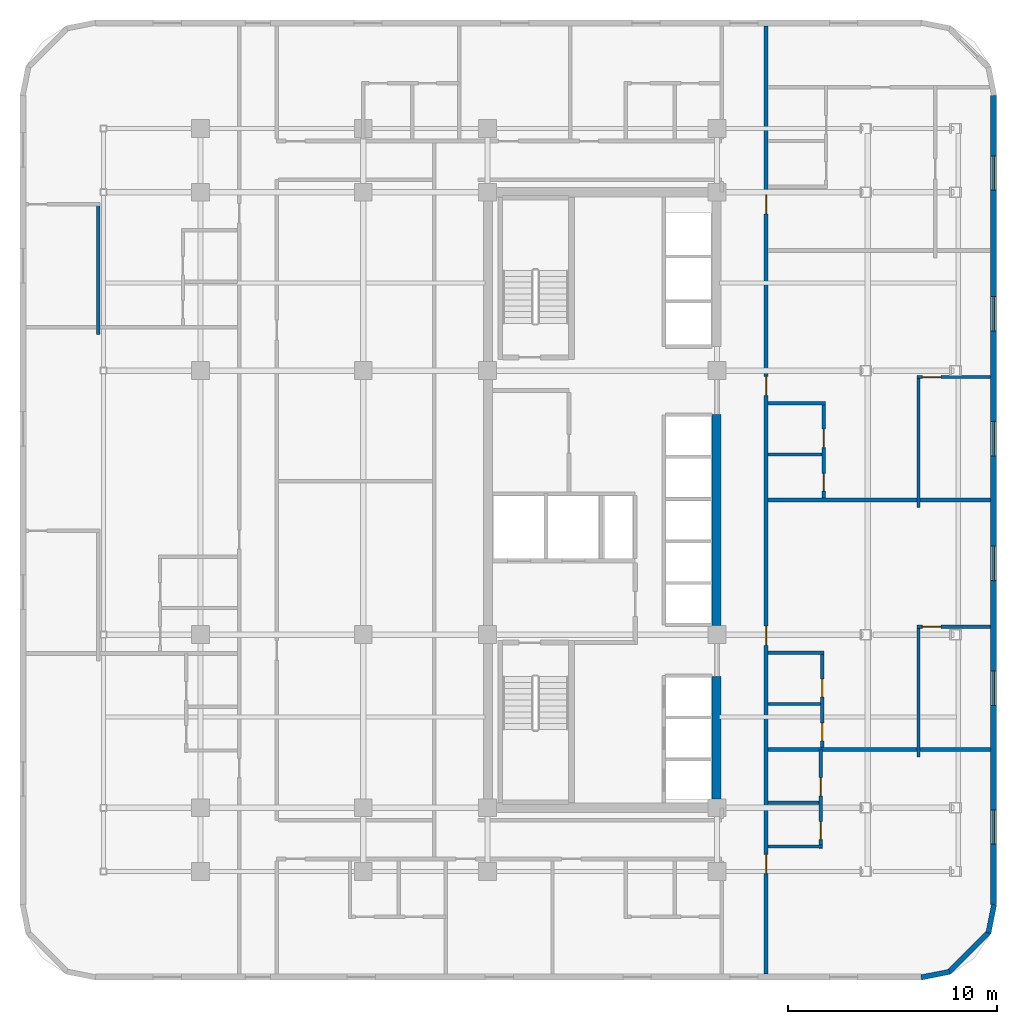
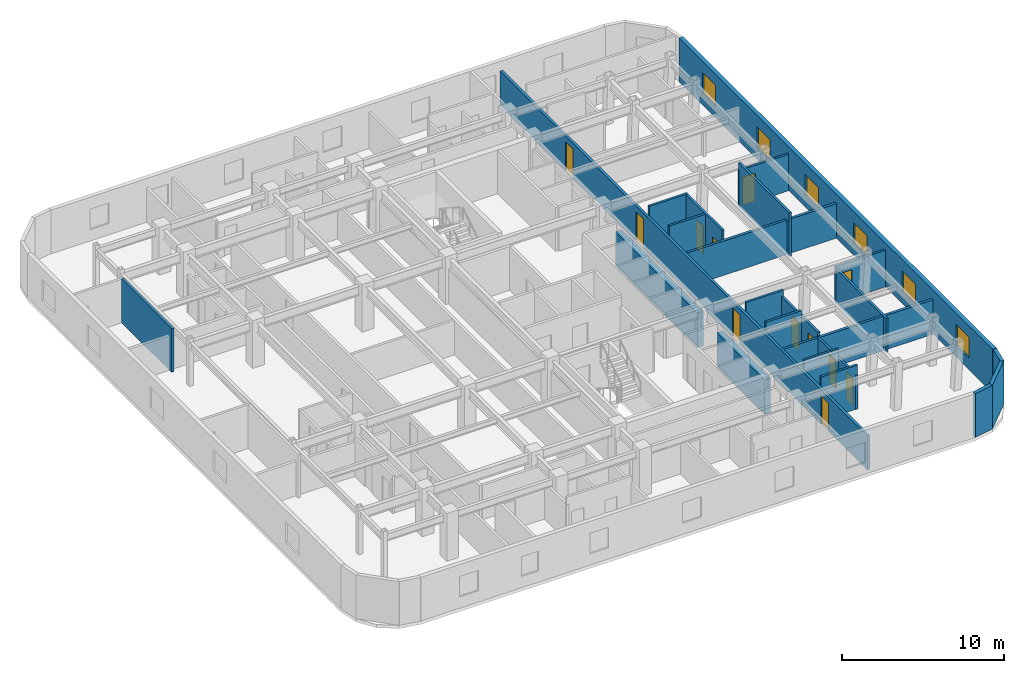
# One storey, part 8 of 11: 23 walls, 12 doors, 6 windows, 18 openings.
"""IFC4 building model written with IfcOpenShell, lengths in metres."""

from ifc_helpers import new_model, si_unit, direction, frame, frame_2d, origin, place, context, subcontext, project, spatial, rectangle, extrude, material, layer, layer_set, type_object, element, fill, save


model = new_model("IFC4")

# Units and contexts
model_context = context("Model", 3, precision=1e-05, world=origin(), true_north=direction((0.0, 1.0)))
body_context = subcontext(model_context, "Body", "Model", "MODEL_VIEW")
ifc_project = project(units=[si_unit("LENGTHUNIT", "METRE"), si_unit("AREAUNIT", "SQUARE_METRE"), si_unit("VOLUMEUNIT", "CUBIC_METRE"), si_unit("PLANEANGLEUNIT", "RADIAN"), si_unit("MASSUNIT", "GRAM", prefix="KILO")], contexts=[model_context])

# Site, building, storey
site_placement = place(None, origin())
site = spatial("IfcSite", under=ifc_project, at=site_placement, CompositionType="ELEMENT")
building_placement = place(site_placement, origin())
building = spatial("IfcBuilding", under=site, at=building_placement, Name="Ochreholt Gables", CompositionType="ELEMENT")
storey_placement = place(building_placement, frame((0.0, 0.0, 67.800048828125)))
storey = spatial("IfcBuildingStorey", under=building, at=storey_placement, Name="L17", CompositionType="ELEMENT", Elevation=67.800048828125)

# Walls
ifc_material_1 = material(Name="Concrete 60 MPa", Category="concrete")
ifc_layer_1 = layer(ifc_material_1, 0.449951171875, Name="Concrete 60 MPa")
ifc_layer_set_1 = layer_set([ifc_layer_1], Name="Concrete 60 MPa")
wall_type_1 = type_object("IfcWallType", Name="WALL-CSW-450", PredefinedType="SHEAR", material=ifc_layer_set_1)
wall_1_placement = place(storey_placement, frame((35.175048828125, 9.675048828125, 0.0), z_axis=(0.0, 0.0, 1.0), x_axis=(0.0, 1.0, 0.0)))
element("IfcWall", 1, at=wall_1_placement, inside=storey, type_object=wall_type_1, Name="L17 Core South-East Shear Wall", PredefinedType="SHEAR", context=body_context, shape_type="SweptSolid", body=[
    extrude(rectangle(XDim=5.875, YDim=0.449951171875, at=frame_2d((2.9375, 0.0))), origin(), (0.0, 0.0, 1.0), 2.60693359375),
])
wall_2_placement = place(storey_placement, frame((35.175048828125, 17.97509765625, 0.0), z_axis=(0.0, 0.0, 1.0), x_axis=(0.0, 1.0, 0.0)))
element("IfcWall", 2, at=wall_2_placement, inside=storey, type_object=wall_type_1, Name="L17 Core Central-East Shear Wall", PredefinedType="SHEAR", context=body_context, shape_type="SweptSolid", body=[
    extrude(rectangle(XDim=10.125, YDim=0.449951171875, at=frame_2d((5.0625, 0.0))), origin(), (0.0, 0.0, 1.0), 2.60693359375),
])

# Wall, openings, windows
ifc_material_2 = material(Name="Precast concrete 40 MPa", Category="concrete")
ifc_layer_2 = layer(ifc_material_2, 0.2900390625, Name="Precast concrete 40 MPa")
ifc_layer_set_2 = layer_set([ifc_layer_2], Name="Precast concrete 40 MPa")
wall_type_2 = type_object("IfcWallType", Name="WALL-EXT-290", PredefinedType="SOLIDWALL", material=ifc_layer_set_2)
wall_3_placement = place(storey_placement, frame((48.455078125, 4.6201171875, 0.0), z_axis=(0.0, 0.0, 1.0), x_axis=(0.0, 1.0, 0.0)))
wall_3 = element("IfcWall", 3, at=wall_3_placement, inside=storey, type_object=wall_type_2, Name="L17 East Exterior Wall", PredefinedType="SOLIDWALL", context=body_context, shape_type="SweptSolid", body=[
    extrude(rectangle(XDim=38.759765625, YDim=0.2900390625, at=frame_2d((19.3798828125, 0.0))), origin(), (0.0, 0.0, 1.0), 3.300048828125),
])
opening_1_placement = place(wall_3_placement, frame((2.885009765625, 0.0, 0.85009765625)))
opening_1 = element("IfcOpeningElement", 4, at=opening_1_placement, cuts=wall_3, Name="Opening WN-7", PredefinedType="OPENING", context=body_context, shape_type="SweptSolid", body=[
    extrude(rectangle(XDim=1.64990234375, YDim=1.60009765625, at=frame_2d((0.824951171875, 0.800048828125))), frame((0.0, 0.155029296875, 0.0), z_axis=(0.0, -1.0, 0.0), x_axis=(1.0, 0.0, 0.0)), (0.0, 0.0, 1.0), 0.31005859375),
])
opening_2_placement = place(wall_3_placement, frame((9.5400390625, 0.0, 0.85009765625)))
opening_2 = element("IfcOpeningElement", 5, at=opening_2_placement, cuts=wall_3, Name="Opening WN-7", PredefinedType="OPENING", context=body_context, shape_type="SweptSolid", body=[
    extrude(rectangle(XDim=1.64990234375, YDim=1.60009765625, at=frame_2d((0.824951171875, 0.800048828125))), frame((0.0, 0.155029296875, 0.0), z_axis=(0.0, -1.0, 0.0), x_axis=(1.0, 0.0, 0.0)), (0.0, 0.0, 1.0), 0.31005859375),
])
opening_3_placement = place(wall_3_placement, frame((15.52001953125, 0.0, 0.85009765625)))
opening_3 = element("IfcOpeningElement", 6, at=opening_3_placement, cuts=wall_3, Name="Opening WN-7", PredefinedType="OPENING", context=body_context, shape_type="SweptSolid", body=[
    extrude(rectangle(XDim=1.64990234375, YDim=1.60009765625, at=frame_2d((0.824951171875, 0.800048828125))), frame((0.0, 0.155029296875, 0.0), z_axis=(0.0, -1.0, 0.0), x_axis=(1.0, 0.0, 0.0)), (0.0, 0.0, 1.0), 0.31005859375),
])
opening_4_placement = place(wall_3_placement, frame((21.5, 0.0, 0.85009765625)))
opening_4 = element("IfcOpeningElement", 7, at=opening_4_placement, cuts=wall_3, Name="Opening WN-7", PredefinedType="OPENING", context=body_context, shape_type="SweptSolid", body=[
    extrude(rectangle(XDim=1.64990234375, YDim=1.60009765625, at=frame_2d((0.824951171875, 0.800048828125))), frame((0.0, 0.155029296875, 0.0), z_axis=(0.0, -1.0, 0.0), x_axis=(1.0, 0.0, 0.0)), (0.0, 0.0, 1.0), 0.31005859375),
])
opening_5_placement = place(wall_3_placement, frame((27.47998046875, 0.0, 0.85009765625)))
opening_5 = element("IfcOpeningElement", 8, at=opening_5_placement, cuts=wall_3, Name="Opening WN-7", PredefinedType="OPENING", context=body_context, shape_type="SweptSolid", body=[
    extrude(rectangle(XDim=1.64990234375, YDim=1.60009765625, at=frame_2d((0.824951171875, 0.800048828125))), frame((0.0, 0.155029296875, 0.0), z_axis=(0.0, -1.0, 0.0), x_axis=(1.0, 0.0, 0.0)), (0.0, 0.0, 1.0), 0.31005859375),
])
opening_6_placement = place(wall_3_placement, frame((34.22509765625, 0.0, 0.85009765625)))
opening_6 = element("IfcOpeningElement", 9, at=opening_6_placement, cuts=wall_3, Name="Opening WN-7", PredefinedType="OPENING", context=body_context, shape_type="SweptSolid", body=[
    extrude(rectangle(XDim=1.64990234375, YDim=1.60009765625, at=frame_2d((0.824951171875, 0.800048828125))), frame((0.0, 0.155029296875, 0.0), z_axis=(0.0, -1.0, 0.0), x_axis=(1.0, 0.0, 0.0)), (0.0, 0.0, 1.0), 0.31005859375),
])
ifc_material_3 = material(Name="Triple-Glazed Thermally Broken Aluminium Window", Category="aluminium")
window_type = type_object("IfcWindowType", Name="WIN-RES-1650", PartitioningType="SINGLE_PANEL", PredefinedType="WINDOW", material=ifc_material_3)
window_1_placement = place(opening_1_placement, origin())
window_1 = element("IfcWindow", 10, at=window_1_placement, inside=storey, type_object=window_type, Name="L17 Window W-EXT-E-L17-1", OverallHeight=1.60009765625, OverallWidth=1.64990234375, PartitioningType="SINGLE_PANEL", PredefinedType="WINDOW", context=body_context, shape_type="SweptSolid", body=[
    extrude(rectangle(XDim=1.64990234375, YDim=1.60009765625, at=frame_2d((0.824951171875, 0.800048828125))), frame((0.0, 0.030029296875, 0.0), z_axis=(0.0, -1.0, 0.0), x_axis=(1.0, 0.0, 0.0)), (0.0, 0.0, 1.0), 0.06005859375),
])
fill(opening_1, window_1)
window_2_placement = place(opening_2_placement, origin())
window_2 = element("IfcWindow", 11, at=window_2_placement, inside=storey, type_object=window_type, Name="L17 Window W-EXT-E-L17-2", OverallHeight=1.60009765625, OverallWidth=1.64990234375, PartitioningType="SINGLE_PANEL", PredefinedType="WINDOW", context=body_context, shape_type="SweptSolid", body=[
    extrude(rectangle(XDim=1.64990234375, YDim=1.60009765625, at=frame_2d((0.824951171875, 0.800048828125))), frame((0.0, 0.030029296875, 0.0), z_axis=(0.0, -1.0, 0.0), x_axis=(1.0, 0.0, 0.0)), (0.0, 0.0, 1.0), 0.06005859375),
])
fill(opening_2, window_2)
window_3_placement = place(opening_3_placement, origin())
window_3 = element("IfcWindow", 12, at=window_3_placement, inside=storey, type_object=window_type, Name="L17 Window W-EXT-E-L17-3", OverallHeight=1.60009765625, OverallWidth=1.64990234375, PartitioningType="SINGLE_PANEL", PredefinedType="WINDOW", context=body_context, shape_type="SweptSolid", body=[
    extrude(rectangle(XDim=1.64990234375, YDim=1.60009765625, at=frame_2d((0.824951171875, 0.800048828125))), frame((0.0, 0.030029296875, 0.0), z_axis=(0.0, -1.0, 0.0), x_axis=(1.0, 0.0, 0.0)), (0.0, 0.0, 1.0), 0.06005859375),
])
fill(opening_3, window_3)
window_4_placement = place(opening_4_placement, origin())
window_4 = element("IfcWindow", 13, at=window_4_placement, inside=storey, type_object=window_type, Name="L17 Window W-EXT-E-L17-4", OverallHeight=1.60009765625, OverallWidth=1.64990234375, PartitioningType="SINGLE_PANEL", PredefinedType="WINDOW", context=body_context, shape_type="SweptSolid", body=[
    extrude(rectangle(XDim=1.64990234375, YDim=1.60009765625, at=frame_2d((0.824951171875, 0.800048828125))), frame((0.0, 0.030029296875, 0.0), z_axis=(0.0, -1.0, 0.0), x_axis=(1.0, 0.0, 0.0)), (0.0, 0.0, 1.0), 0.06005859375),
])
fill(opening_4, window_4)
window_5_placement = place(opening_5_placement, origin())
window_5 = element("IfcWindow", 14, at=window_5_placement, inside=storey, type_object=window_type, Name="L17 Window W-EXT-E-L17-5", OverallHeight=1.60009765625, OverallWidth=1.64990234375, PartitioningType="SINGLE_PANEL", PredefinedType="WINDOW", context=body_context, shape_type="SweptSolid", body=[
    extrude(rectangle(XDim=1.64990234375, YDim=1.60009765625, at=frame_2d((0.824951171875, 0.800048828125))), frame((0.0, 0.030029296875, 0.0), z_axis=(0.0, -1.0, 0.0), x_axis=(1.0, 0.0, 0.0)), (0.0, 0.0, 1.0), 0.06005859375),
])
fill(opening_5, window_5)
window_6_placement = place(opening_6_placement, origin())
window_6 = element("IfcWindow", 15, at=window_6_placement, inside=storey, type_object=window_type, Name="L17 Window W-EXT-E-L17-6", OverallHeight=1.60009765625, OverallWidth=1.64990234375, PartitioningType="SINGLE_PANEL", PredefinedType="WINDOW", context=body_context, shape_type="SweptSolid", body=[
    extrude(rectangle(XDim=1.64990234375, YDim=1.60009765625, at=frame_2d((0.824951171875, 0.800048828125))), frame((0.0, 0.030029296875, 0.0), z_axis=(0.0, -1.0, 0.0), x_axis=(1.0, 0.0, 0.0)), (0.0, 0.0, 1.0), 0.06005859375),
])
fill(opening_6, window_6)

# Walls
ifc_layer_3 = layer(ifc_material_2, 0.25, Name="Precast concrete 40 MPa")
ifc_layer_set_3 = layer_set([ifc_layer_3], Name="Precast concrete 40 MPa")
wall_type_3 = type_object("IfcWallType", Name="WALL-EXT-CNR", PredefinedType="SOLIDWALL", material=ifc_layer_set_3)
wall_4_placement = place(storey_placement, frame((44.9833984375, 1.124267578125, 0.0), z_axis=(0.0, 0.0, 1.0), x_axis=(0.980809899341, 0.19496651342, 0.0)))
element("IfcWall", 16, at=wall_4_placement, inside=storey, type_object=wall_type_3, Name="L17 Rounded Corner Wall SE-1", PredefinedType="SOLIDWALL", context=body_context, shape_type="SweptSolid", body=[
    extrude(rectangle(XDim=1.388671875, YDim=0.25, at=frame_2d((0.6943359375, 0.0))), origin(), (0.0, 0.0, 1.0), 3.300048828125),
])
wall_5_placement = place(storey_placement, frame((46.294921875, 1.367919921875, 0.0), z_axis=(0.0, 0.0, 1.0), x_axis=(0.707106781187, 0.707106781187, 0.0)))
element("IfcWall", 17, at=wall_5_placement, inside=storey, type_object=wall_type_3, Name="L17 Rounded Corner Wall SE-2", PredefinedType="SOLIDWALL", context=body_context, shape_type="SweptSolid", body=[
    extrude(rectangle(XDim=2.7392578125, YDim=0.25, at=frame_2d((1.36962890625, 0.0))), origin(), (0.0, 0.0, 1.0), 3.300048828125),
])
wall_6_placement = place(storey_placement, frame((48.205078125, 3.25439453125, 0.0), z_axis=(0.0, 0.0, 1.0), x_axis=(0.19496651342, 0.980809899341, 0.0)))
element("IfcWall", 18, at=wall_6_placement, inside=storey, type_object=wall_type_3, Name="L17 Rounded Corner Wall SE-3", PredefinedType="SOLIDWALL", context=body_context, shape_type="SweptSolid", body=[
    extrude(rectangle(XDim=1.388671875, YDim=0.25, at=frame_2d((0.6943359375, 0.0))), origin(), (0.0, 0.0, 1.0), 3.300048828125),
])

# Wall, openings, doors
ifc_material_4 = material(Name="Fire-Rated Gypsum Acoustic Partition", Category="gypsum")
ifc_layer_4 = layer(ifc_material_4, 0.179931640625, Name="Fire-Rated Gypsum Acoustic Partition")
ifc_layer_set_4 = layer_set([ifc_layer_4], Name="Fire-Rated Gypsum Acoustic Partition")
wall_type_4 = type_object("IfcWallType", Name="WALL-INT-CR180", PredefinedType="STANDARD", material=ifc_layer_set_4)
wall_7_placement = place(storey_placement, frame((37.550048828125, 1.2900390625, 0.0), z_axis=(0.0, 0.0, 1.0), x_axis=(0.0, 1.0, 0.0)))
wall_7 = element("IfcWall", 19, at=wall_7_placement, inside=storey, type_object=wall_type_4, Name="L17 Interior Wall WI-C1E-L17", PredefinedType="STANDARD", context=body_context, shape_type="SweptSolid", body=[
    extrude(rectangle(XDim=45.419921875, YDim=0.179931640625, at=frame_2d((22.7099609375, 0.0))), origin(), (0.0, 0.0, 1.0), 2.5888671875),
])
opening_7_placement = place(wall_7_placement, frame((4.81005859375, 0.0, 0.0)))
opening_7 = element("IfcOpeningElement", 20, at=opening_7_placement, cuts=wall_7, Name="Opening D-UN1", PredefinedType="OPENING", context=body_context, shape_type="SweptSolid", body=[
    extrude(rectangle(XDim=0.919921875, YDim=2.14990234375, at=frame_2d((0.4599609375, 1.074951171875))), frame((0.0, 0.099853515625, 0.0), z_axis=(0.0, -1.0, 0.0), x_axis=(1.0, 0.0, 0.0)), (0.0, 0.0, 1.0), 0.199951171875),
])
opening_8_placement = place(wall_7_placement, frame((15.75, 0.0, 0.0)))
opening_8 = element("IfcOpeningElement", 21, at=opening_8_placement, cuts=wall_7, Name="Opening D-UN1", PredefinedType="OPENING", context=body_context, shape_type="SweptSolid", body=[
    extrude(rectangle(XDim=0.919921875, YDim=2.14990234375, at=frame_2d((0.4599609375, 1.074951171875))), frame((0.0, 0.099853515625, 0.0), z_axis=(0.0, -1.0, 0.0), x_axis=(1.0, 0.0, 0.0)), (0.0, 0.0, 1.0), 0.199951171875),
])
opening_9_placement = place(wall_7_placement, frame((27.7099609375, 0.0, 0.0)))
opening_9 = element("IfcOpeningElement", 22, at=opening_9_placement, cuts=wall_7, Name="Opening D-UN1", PredefinedType="OPENING", context=body_context, shape_type="SweptSolid", body=[
    extrude(rectangle(XDim=0.919921875, YDim=2.14990234375, at=frame_2d((0.4599609375, 1.074951171875))), frame((0.0, 0.099853515625, 0.0), z_axis=(0.0, -1.0, 0.0), x_axis=(1.0, 0.0, 0.0)), (0.0, 0.0, 1.0), 0.199951171875),
])
opening_10_placement = place(wall_7_placement, frame((36.421630859375, 0.0, 0.0)))
opening_10 = element("IfcOpeningElement", 23, at=opening_10_placement, cuts=wall_7, Name="Opening D-UN1", PredefinedType="OPENING", context=body_context, shape_type="SweptSolid", body=[
    extrude(rectangle(XDim=0.919921875, YDim=2.14990234375, at=frame_2d((0.4599609375, 1.074951171875))), frame((0.0, 0.099853515625, 0.0), z_axis=(0.0, -1.0, 0.0), x_axis=(1.0, 0.0, 0.0)), (0.0, 0.0, 1.0), 0.199951171875),
])
ifc_material_5 = material(Name="Engineered Oak Timber", Category="wood")
door_type_1 = type_object("IfcDoorType", Name="DR-INT-UNT920", OperationType="NOTDEFINED", PredefinedType="DOOR", material=ifc_material_5)
door_1_placement = place(opening_7_placement, origin())
door_1 = element("IfcDoor", 24, at=door_1_placement, inside=storey, type_object=door_type_1, Name="L17 Door D-U-L17E1-ENT", OperationType="SINGLE_SWING_RIGHT", OverallHeight=2.14990234375, OverallWidth=0.919921875, PredefinedType="DOOR", context=body_context, shape_type="SweptSolid", body=[
    extrude(rectangle(XDim=0.919921875, YDim=2.14990234375, at=frame_2d((0.4599609375, 1.074951171875))), frame((0.0, 0.02490234375, 0.0), z_axis=(0.0, -1.0, 0.0), x_axis=(1.0, 0.0, 0.0)), (0.0, 0.0, 1.0), 0.050048828125),
])
fill(opening_7, door_1)
door_2_placement = place(opening_8_placement, origin())
door_2 = element("IfcDoor", 25, at=door_2_placement, inside=storey, type_object=door_type_1, Name="L17 Door D-U-L17E2-ENT", OperationType="SINGLE_SWING_LEFT", OverallHeight=2.14990234375, OverallWidth=0.919921875, PredefinedType="DOOR", context=body_context, shape_type="SweptSolid", body=[
    extrude(rectangle(XDim=0.919921875, YDim=2.14990234375, at=frame_2d((0.4599609375, 1.074951171875))), frame((0.0, 0.02490234375, 0.0), z_axis=(0.0, -1.0, 0.0), x_axis=(1.0, 0.0, 0.0)), (0.0, 0.0, 1.0), 0.050048828125),
])
fill(opening_8, door_2)
door_3_placement = place(opening_9_placement, origin())
door_3 = element("IfcDoor", 26, at=door_3_placement, inside=storey, type_object=door_type_1, Name="L17 Door D-U-L17E3-ENT", OperationType="SINGLE_SWING_RIGHT", OverallHeight=2.14990234375, OverallWidth=0.919921875, PredefinedType="DOOR", context=body_context, shape_type="SweptSolid", body=[
    extrude(rectangle(XDim=0.919921875, YDim=2.14990234375, at=frame_2d((0.4599609375, 1.074951171875))), frame((0.0, 0.02490234375, 0.0), z_axis=(0.0, -1.0, 0.0), x_axis=(1.0, 0.0, 0.0)), (0.0, 0.0, 1.0), 0.050048828125),
])
fill(opening_9, door_3)
door_4_placement = place(opening_10_placement, origin())
door_4 = element("IfcDoor", 27, at=door_4_placement, inside=storey, type_object=door_type_1, Name="L17 Door D-U-L17E4-ENT", OperationType="SINGLE_SWING_LEFT", OverallHeight=2.14990234375, OverallWidth=0.919921875, PredefinedType="DOOR", context=body_context, shape_type="SweptSolid", body=[
    extrude(rectangle(XDim=0.919921875, YDim=2.14990234375, at=frame_2d((0.4599609375, 1.074951171875))), frame((0.0, 0.02490234375, 0.0), z_axis=(0.0, -1.0, 0.0), x_axis=(1.0, 0.0, 0.0)), (0.0, 0.0, 1.0), 0.050048828125),
])
fill(opening_10, door_4)

# Walls
ifc_material_6 = material(Name="Double-Stud Acoustic Demising Wall", Category="gypsum")
ifc_layer_5 = layer(ifc_material_6, 0.179931640625, Name="Double-Stud Acoustic Demising Wall")
ifc_layer_set_5 = layer_set([ifc_layer_5], Name="Double-Stud Acoustic Demising Wall")
wall_type_5 = type_object("IfcWallType", Name="WALL-INT-DM180", PredefinedType="PARTITIONING", material=ifc_layer_set_5)
for number, where, z_axis, x_axis, name in (
    (28, (37.639892578125, 12.0400390625, 0.0), (0.0, 0.0, 1.0), (1.0, 0.0, 0.0), "L17 Interior Wall WI-UDE2-L17"),
    (29, (37.639892578125, 24.0, 0.0), (0.0, 0.0, 1.0), (1.0, 0.0, 0.0), "L17 Interior Wall WI-UDE3-L17"),
):
    element("IfcWall", number, at=place(storey_placement, frame(where, z_axis=z_axis, x_axis=x_axis)), inside=storey, type_object=wall_type_5, Name=name, PredefinedType="PARTITIONING", context=body_context, shape_type="SweptSolid", body=[
        extrude(rectangle(XDim=10.670166015625, YDim=0.179931640625, at=frame_2d((5.3349609375, 0.0))), origin(), (0.0, 0.0, 1.0), 2.5888671875),
    ])
ifc_material_7 = material(Name="Moisture-Resistant Plumbing Chase Wall", Category="gypsum")
ifc_layer_6 = layer(ifc_material_7, 0.159912109375, Name="Moisture-Resistant Plumbing Chase Wall")
ifc_layer_set_6 = layer_set([ifc_layer_6], Name="Moisture-Resistant Plumbing Chase Wall")
wall_type_6 = type_object("IfcWallType", Name="WALL-INT-PL160", PredefinedType="PLUMBINGWALL", material=ifc_layer_set_6)
wall_8_placement = place(storey_placement, frame((37.639892578125, 7.39990234375, 0.0), z_axis=(0.0, 0.0, 1.0), x_axis=(1.0, 0.0, 0.0)))
element("IfcWall", 30, at=wall_8_placement, inside=storey, type_object=wall_type_6, Name="L17 Interior Wall WU-L17E1-WYS", PredefinedType="PLUMBINGWALL", context=body_context, shape_type="SweptSolid", body=[
    extrude(rectangle(XDim=2.606201171875, YDim=0.159912109375, at=frame_2d((1.30322265625, 0.0))), origin(), (0.0, 0.0, 1.0), 3.300048828125),
])

# Wall, openings, doors
wall_9_placement = place(storey_placement, frame((40.166015625, 7.31005859375, 0.0), z_axis=(0.0, 0.0, 1.0), x_axis=(0.0, 1.0, 0.0)))
wall_9 = element("IfcWall", 31, at=wall_9_placement, inside=storey, type_object=wall_type_6, Name="L17 Interior Wall WU-L17E1-WX", PredefinedType="PLUMBINGWALL", context=body_context, shape_type="SweptSolid", body=[
    extrude(rectangle(XDim=4.72998046875, YDim=0.159912109375, at=frame_2d((2.364990234375, 0.0))), origin(), (0.0, 0.0, 1.0), 2.5888671875),
])
opening_11_placement = place(wall_9_placement, frame((0.419921875, 0.0, 0.0)))
opening_11 = element("IfcOpeningElement", 32, at=opening_11_placement, cuts=wall_9, Name="Opening D-BT1", PredefinedType="OPENING", context=body_context, shape_type="SweptSolid", body=[
    extrude(rectangle(XDim=0.860107421875, YDim=2.1201171875, at=frame_2d((0.43017578125, 1.06005859375))), frame((0.0, 0.08984375, 0.0), z_axis=(0.0, -1.0, 0.0), x_axis=(1.0, 0.0, 0.0)), (0.0, 0.0, 1.0), 0.179931640625),
])
opening_12_placement = place(wall_9_placement, frame((2.512939453125, 0.0, 0.0)))
opening_12 = element("IfcOpeningElement", 33, at=opening_12_placement, cuts=wall_9, Name="Opening D-GN2", PredefinedType="OPENING", context=body_context, shape_type="SweptSolid", body=[
    extrude(rectangle(XDim=0.8798828125, YDim=2.1201171875, at=frame_2d((0.43994140625, 1.06005859375))), frame((0.0, 0.08984375, 0.0), z_axis=(0.0, -1.0, 0.0), x_axis=(1.0, 0.0, 0.0)), (0.0, 0.0, 1.0), 0.179931640625),
])
door_type_2 = type_object("IfcDoorType", Name="DR-INT-BTH860", OperationType="NOTDEFINED", PredefinedType="DOOR", material=ifc_material_5)
door_5_placement = place(opening_11_placement, origin())
door_5 = element("IfcDoor", 34, at=door_5_placement, inside=storey, type_object=door_type_2, Name="L17 Door D-U-L17E1-BTH", OperationType="SINGLE_SWING_LEFT", OverallHeight=2.1201171875, OverallWidth=0.860107421875, PredefinedType="DOOR", context=body_context, shape_type="SweptSolid", body=[
    extrude(rectangle(XDim=0.860107421875, YDim=2.1201171875, at=frame_2d((0.43017578125, 1.06005859375))), frame((0.0, 0.02490234375, 0.0), z_axis=(0.0, -1.0, 0.0), x_axis=(1.0, 0.0, 0.0)), (0.0, 0.0, 1.0), 0.050048828125),
])
fill(opening_11, door_5)
door_type_3 = type_object("IfcDoorType", Name="DR-INT-GEN880", OperationType="NOTDEFINED", PredefinedType="DOOR", material=ifc_material_5)
door_6_placement = place(opening_12_placement, origin())
door_6 = element("IfcDoor", 35, at=door_6_placement, inside=storey, type_object=door_type_3, Name="L17 Door D-U-L17E1-KIT", OperationType="SINGLE_SWING_RIGHT", OverallHeight=2.1201171875, OverallWidth=0.8798828125, PredefinedType="DOOR", context=body_context, shape_type="SweptSolid", body=[
    extrude(rectangle(XDim=0.8798828125, YDim=2.1201171875, at=frame_2d((0.43994140625, 1.06005859375))), frame((0.0, 0.02490234375, 0.0), z_axis=(0.0, -1.0, 0.0), x_axis=(1.0, 0.0, 0.0)), (0.0, 0.0, 1.0), 0.050048828125),
])
fill(opening_12, door_6)

# Walls
wall_10_placement = place(storey_placement, frame((37.639892578125, 9.492919921875, 0.0), z_axis=(0.0, 0.0, 1.0), x_axis=(1.0, 0.0, 0.0)))
element("IfcWall", 36, at=wall_10_placement, inside=storey, type_object=wall_type_6, Name="L17 Interior Wall WU-L17E1-WM", PredefinedType="PLUMBINGWALL", context=body_context, shape_type="SweptSolid", body=[
    extrude(rectangle(XDim=2.446044921875, YDim=0.159912109375, at=frame_2d((1.22314453125, 0.0))), origin(), (0.0, 0.0, 1.0), 3.300048828125),
])
wall_11_placement = place(storey_placement, frame((37.639892578125, 16.679931640625, 0.0), z_axis=(0.0, 0.0, 1.0), x_axis=(1.0, 0.0, 0.0)))
element("IfcWall", 37, at=wall_11_placement, inside=storey, type_object=wall_type_6, Name="L17 Interior Wall WU-L17E2-WYN", PredefinedType="PLUMBINGWALL", context=body_context, shape_type="SweptSolid", body=[
    extrude(rectangle(XDim=2.68212890625, YDim=0.159912109375, at=frame_2d((1.341064453125, 0.0))), origin(), (0.0, 0.0, 1.0), 3.300048828125),
])

# Wall, openings, doors
wall_12_placement = place(storey_placement, frame((40.241943359375, 12.1298828125, 0.0), z_axis=(0.0, 0.0, 1.0), x_axis=(0.0, 1.0, 0.0)))
wall_12 = element("IfcWall", 38, at=wall_12_placement, inside=storey, type_object=wall_type_6, Name="L17 Interior Wall WU-L17E2-WX", PredefinedType="PLUMBINGWALL", context=body_context, shape_type="SweptSolid", body=[
    extrude(rectangle(XDim=4.64013671875, YDim=0.159912109375, at=frame_2d((2.320068359375, 0.0))), origin(), (0.0, 0.0, 1.0), 2.8720703125),
])
opening_13_placement = place(wall_12_placement, frame((0.330078125, 0.0, 0.0)))
opening_13 = element("IfcOpeningElement", 39, at=opening_13_placement, cuts=wall_12, Name="Opening D-BT1", PredefinedType="OPENING", context=body_context, shape_type="SweptSolid", body=[
    extrude(rectangle(XDim=0.860107421875, YDim=2.1201171875, at=frame_2d((0.43017578125, 1.06005859375))), frame((0.0, 0.08984375, 0.0), z_axis=(0.0, -1.0, 0.0), x_axis=(1.0, 0.0, 0.0)), (0.0, 0.0, 1.0), 0.179931640625),
])
opening_14_placement = place(wall_12_placement, frame((2.423095703125, 0.0, 0.0)))
opening_14 = element("IfcOpeningElement", 40, at=opening_14_placement, cuts=wall_12, Name="Opening D-GN2", PredefinedType="OPENING", context=body_context, shape_type="SweptSolid", body=[
    extrude(rectangle(XDim=0.8798828125, YDim=2.1201171875, at=frame_2d((0.43994140625, 1.06005859375))), frame((0.0, 0.08984375, 0.0), z_axis=(0.0, -1.0, 0.0), x_axis=(1.0, 0.0, 0.0)), (0.0, 0.0, 1.0), 0.179931640625),
])
door_7_placement = place(opening_13_placement, origin())
door_7 = element("IfcDoor", 41, at=door_7_placement, inside=storey, type_object=door_type_2, Name="L17 Door D-U-L17E2-BTH", OperationType="SINGLE_SWING_RIGHT", OverallHeight=2.1201171875, OverallWidth=0.860107421875, PredefinedType="DOOR", context=body_context, shape_type="SweptSolid", body=[
    extrude(rectangle(XDim=0.860107421875, YDim=2.1201171875, at=frame_2d((0.43017578125, 1.06005859375))), frame((0.0, 0.02490234375, 0.0), z_axis=(0.0, -1.0, 0.0), x_axis=(1.0, 0.0, 0.0)), (0.0, 0.0, 1.0), 0.050048828125),
])
fill(opening_13, door_7)
door_8_placement = place(opening_14_placement, origin())
door_8 = element("IfcDoor", 42, at=door_8_placement, inside=storey, type_object=door_type_3, Name="L17 Door D-U-L17E2-KIT", OperationType="SINGLE_SWING_LEFT", OverallHeight=2.1201171875, OverallWidth=0.8798828125, PredefinedType="DOOR", context=body_context, shape_type="SweptSolid", body=[
    extrude(rectangle(XDim=0.8798828125, YDim=2.1201171875, at=frame_2d((0.43994140625, 1.06005859375))), frame((0.0, 0.02490234375, 0.0), z_axis=(0.0, -1.0, 0.0), x_axis=(1.0, 0.0, 0.0)), (0.0, 0.0, 1.0), 0.050048828125),
])
fill(opening_14, door_8)

# Walls
wall_13_placement = place(storey_placement, frame((37.639892578125, 14.222900390625, 0.0), z_axis=(0.0, 0.0, 1.0), x_axis=(1.0, 0.0, 0.0)))
element("IfcWall", 43, at=wall_13_placement, inside=storey, type_object=wall_type_6, Name="L17 Interior Wall WU-L17E2-WM", PredefinedType="PLUMBINGWALL", context=body_context, shape_type="SweptSolid", body=[
    extrude(rectangle(XDim=2.522216796875, YDim=0.159912109375, at=frame_2d((1.26123046875, 0.0))), origin(), (0.0, 0.0, 1.0), 3.300048828125),
])
wall_14_placement = place(storey_placement, frame((37.639892578125, 28.639892578125, 0.0), z_axis=(0.0, 0.0, 1.0), x_axis=(1.0, 0.0, 0.0)))
element("IfcWall", 44, at=wall_14_placement, inside=storey, type_object=wall_type_6, Name="L17 Interior Wall WU-L17E3-WYN", PredefinedType="PLUMBINGWALL", context=body_context, shape_type="SweptSolid", body=[
    extrude(rectangle(XDim=2.758056640625, YDim=0.159912109375, at=frame_2d((1.37890625, 0.0))), origin(), (0.0, 0.0, 1.0), 3.300048828125),
])

# Wall, openings, doors
wall_15_placement = place(storey_placement, frame((40.318115234375, 24.090087890625, 0.0), z_axis=(0.0, 0.0, 1.0), x_axis=(0.0, 1.0, 0.0)))
wall_15 = element("IfcWall", 45, at=wall_15_placement, inside=storey, type_object=wall_type_6, Name="L17 Interior Wall WU-L17E3-WX", PredefinedType="PLUMBINGWALL", context=body_context, shape_type="SweptSolid", body=[
    extrude(rectangle(XDim=4.639892578125, YDim=0.159912109375, at=frame_2d((2.31982421875, 0.0))), origin(), (0.0, 0.0, 1.0), 3.300048828125),
])
opening_15_placement = place(wall_15_placement, frame((0.330078125, 0.0, 0.0)))
opening_15 = element("IfcOpeningElement", 46, at=opening_15_placement, cuts=wall_15, Name="Opening D-BT1", PredefinedType="OPENING", context=body_context, shape_type="SweptSolid", body=[
    extrude(rectangle(XDim=0.860107421875, YDim=2.1201171875, at=frame_2d((0.43017578125, 1.06005859375))), frame((0.0, 0.08984375, 0.0), z_axis=(0.0, -1.0, 0.0), x_axis=(1.0, 0.0, 0.0)), (0.0, 0.0, 1.0), 0.179931640625),
])
opening_16_placement = place(wall_15_placement, frame((2.423095703125, 0.0, 0.0)))
opening_16 = element("IfcOpeningElement", 47, at=opening_16_placement, cuts=wall_15, Name="Opening D-GN2", PredefinedType="OPENING", context=body_context, shape_type="SweptSolid", body=[
    extrude(rectangle(XDim=0.8798828125, YDim=2.1201171875, at=frame_2d((0.43994140625, 1.06005859375))), frame((0.0, 0.08984375, 0.0), z_axis=(0.0, -1.0, 0.0), x_axis=(1.0, 0.0, 0.0)), (0.0, 0.0, 1.0), 0.179931640625),
])
door_9_placement = place(opening_15_placement, origin())
door_9 = element("IfcDoor", 48, at=door_9_placement, inside=storey, type_object=door_type_2, Name="L17 Door D-U-L17E3-BTH", OperationType="SINGLE_SWING_LEFT", OverallHeight=2.1201171875, OverallWidth=0.860107421875, PredefinedType="DOOR", context=body_context, shape_type="SweptSolid", body=[
    extrude(rectangle(XDim=0.860107421875, YDim=2.1201171875, at=frame_2d((0.43017578125, 1.06005859375))), frame((0.0, 0.02490234375, 0.0), z_axis=(0.0, -1.0, 0.0), x_axis=(1.0, 0.0, 0.0)), (0.0, 0.0, 1.0), 0.050048828125),
])
fill(opening_15, door_9)
door_10_placement = place(opening_16_placement, origin())
door_10 = element("IfcDoor", 49, at=door_10_placement, inside=storey, type_object=door_type_3, Name="L17 Door D-U-L17E3-KIT", OperationType="SINGLE_SWING_RIGHT", OverallHeight=2.1201171875, OverallWidth=0.8798828125, PredefinedType="DOOR", context=body_context, shape_type="SweptSolid", body=[
    extrude(rectangle(XDim=0.8798828125, YDim=2.1201171875, at=frame_2d((0.43994140625, 1.06005859375))), frame((0.0, 0.02490234375, 0.0), z_axis=(0.0, -1.0, 0.0), x_axis=(1.0, 0.0, 0.0)), (0.0, 0.0, 1.0), 0.050048828125),
])
fill(opening_16, door_10)

# Walls
wall_16_placement = place(storey_placement, frame((37.639892578125, 26.18310546875, 0.0), z_axis=(0.0, 0.0, 1.0), x_axis=(1.0, 0.0, 0.0)))
element("IfcWall", 50, at=wall_16_placement, inside=storey, type_object=wall_type_6, Name="L17 Interior Wall WU-L17E3-WM", PredefinedType="PLUMBINGWALL", context=body_context, shape_type="SweptSolid", body=[
    extrude(rectangle(XDim=2.59814453125, YDim=0.159912109375, at=frame_2d((1.299072265625, 0.0))), origin(), (0.0, 0.0, 1.0), 3.300048828125),
])
ifc_material_8 = material(Name="Gypsum Acoustic Stud Partition", Category="gypsum")
ifc_layer_7 = layer(ifc_material_8, 0.159912109375, Name="Gypsum Acoustic Stud Partition")
ifc_layer_set_7 = layer_set([ifc_layer_7], Name="Gypsum Acoustic Stud Partition")
wall_type_7 = type_object("IfcWallType", Name="WALL-INT-PT160", PredefinedType="PARTITIONING", material=ifc_layer_set_7)
wall_17_placement = place(storey_placement, frame((44.85009765625, 11.679931640625, 0.0), z_axis=(0.0, 0.0, 1.0), x_axis=(0.0, 1.0, 0.0)))
element("IfcWall", 51, at=wall_17_placement, inside=storey, type_object=wall_type_7, Name="L17 Interior Wall WU-L17E2-STW", PredefinedType="PARTITIONING", context=body_context, shape_type="SweptSolid", body=[
    extrude(rectangle(XDim=6.25, YDim=0.159912109375, at=frame_2d((3.125, 0.0))), origin(), (0.0, 0.0, 1.0), 2.5888671875),
])

# Wall, opening, door
wall_18_placement = place(storey_placement, frame((44.77001953125, 17.929931640625, 0.0), z_axis=(0.0, 0.0, 1.0), x_axis=(1.0, 0.0, 0.0)))
wall_18 = element("IfcWall", 52, at=wall_18_placement, inside=storey, type_object=wall_type_7, Name="L17 Interior Wall WU-L17E2-STN", PredefinedType="PARTITIONING", context=body_context, shape_type="SweptSolid", body=[
    extrude(rectangle(XDim=3.5400390625, YDim=0.159912109375, at=frame_2d((1.77001953125, 0.0))), origin(), (0.0, 0.0, 1.0), 2.7490234375),
])
opening_17_placement = place(wall_18_placement, frame((0.27001953125, 0.0, 0.0)))
opening_17 = element("IfcOpeningElement", 53, at=opening_17_placement, cuts=wall_18, Name="Opening D-GN2", PredefinedType="OPENING", context=body_context, shape_type="SweptSolid", body=[
    extrude(rectangle(XDim=0.8798828125, YDim=2.1201171875, at=frame_2d((0.43994140625, 1.06005859375))), frame((0.0, 0.08984375, 0.0), z_axis=(0.0, -1.0, 0.0), x_axis=(1.0, 0.0, 0.0)), (0.0, 0.0, 1.0), 0.179931640625),
])
door_11_placement = place(opening_17_placement, origin())
door_11 = element("IfcDoor", 54, at=door_11_placement, inside=storey, type_object=door_type_3, Name="L17 Door D-U-L17E2-STD", OperationType="SINGLE_SWING_RIGHT", OverallHeight=2.1201171875, OverallWidth=0.8798828125, PredefinedType="DOOR", context=body_context, shape_type="SweptSolid", body=[
    extrude(rectangle(XDim=0.8798828125, YDim=2.1201171875, at=frame_2d((0.43994140625, 1.06005859375))), frame((0.0, 0.02490234375, 0.0), z_axis=(0.0, -1.0, 0.0), x_axis=(1.0, 0.0, 0.0)), (0.0, 0.0, 1.0), 0.050048828125),
])
fill(opening_17, door_11)

# Wall
wall_19_placement = place(storey_placement, frame((44.85009765625, 23.639892578125, 0.0), z_axis=(0.0, 0.0, 1.0), x_axis=(0.0, 1.0, 0.0)))
element("IfcWall", 55, at=wall_19_placement, inside=storey, type_object=wall_type_7, Name="L17 Interior Wall WU-L17E3-STW", PredefinedType="PARTITIONING", context=body_context, shape_type="SweptSolid", body=[
    extrude(rectangle(XDim=6.25, YDim=0.159912109375, at=frame_2d((3.125, 0.0))), origin(), (0.0, 0.0, 1.0), 3.300048828125),
])

# Wall, opening, door
wall_20_placement = place(storey_placement, frame((44.77001953125, 29.889892578125, 0.0), z_axis=(0.0, 0.0, 1.0), x_axis=(1.0, 0.0, 0.0)))
wall_20 = element("IfcWall", 56, at=wall_20_placement, inside=storey, type_object=wall_type_7, Name="L17 Interior Wall WU-L17E3-STN", PredefinedType="PARTITIONING", context=body_context, shape_type="SweptSolid", body=[
    extrude(rectangle(XDim=3.5400390625, YDim=0.159912109375, at=frame_2d((1.77001953125, 0.0))), origin(), (0.0, 0.0, 1.0), 2.7490234375),
])
opening_18_placement = place(wall_20_placement, frame((0.27001953125, 0.0, 0.0)))
opening_18 = element("IfcOpeningElement", 57, at=opening_18_placement, cuts=wall_20, Name="Opening D-GN2", PredefinedType="OPENING", context=body_context, shape_type="SweptSolid", body=[
    extrude(rectangle(XDim=0.8798828125, YDim=2.1201171875, at=frame_2d((0.43994140625, 1.06005859375))), frame((0.0, 0.08984375, 0.0), z_axis=(0.0, -1.0, 0.0), x_axis=(1.0, 0.0, 0.0)), (0.0, 0.0, 1.0), 0.179931640625),
])
door_12_placement = place(opening_18_placement, origin())
door_12 = element("IfcDoor", 58, at=door_12_placement, inside=storey, type_object=door_type_3, Name="L17 Door D-U-L17E3-STD", OperationType="SINGLE_SWING_LEFT", OverallHeight=2.1201171875, OverallWidth=0.8798828125, PredefinedType="DOOR", context=body_context, shape_type="SweptSolid", body=[
    extrude(rectangle(XDim=0.8798828125, YDim=2.1201171875, at=frame_2d((0.43994140625, 1.06005859375))), frame((0.0, 0.02490234375, 0.0), z_axis=(0.0, -1.0, 0.0), x_axis=(1.0, 0.0, 0.0)), (0.0, 0.0, 1.0), 0.050048828125),
])
fill(opening_18, door_12)

# Wall
wall_21_placement = place(storey_placement, frame((5.550048828125, 31.919921875, 0.0), z_axis=(0.0, 0.0, 1.0), x_axis=(0.0, 1.0, 0.0)))
element("IfcWall", 59, at=wall_21_placement, inside=storey, type_object=wall_type_7, Name="L17 Interior Wall WU-L17W3-STW", PredefinedType="PARTITIONING", context=body_context, shape_type="SweptSolid", body=[
    extrude(rectangle(XDim=6.25, YDim=0.159912109375, at=frame_2d((3.125, 0.0))), origin(), (0.0, 0.0, 1.0), 3.300048828125),
])

save(model, "model.ifc")
